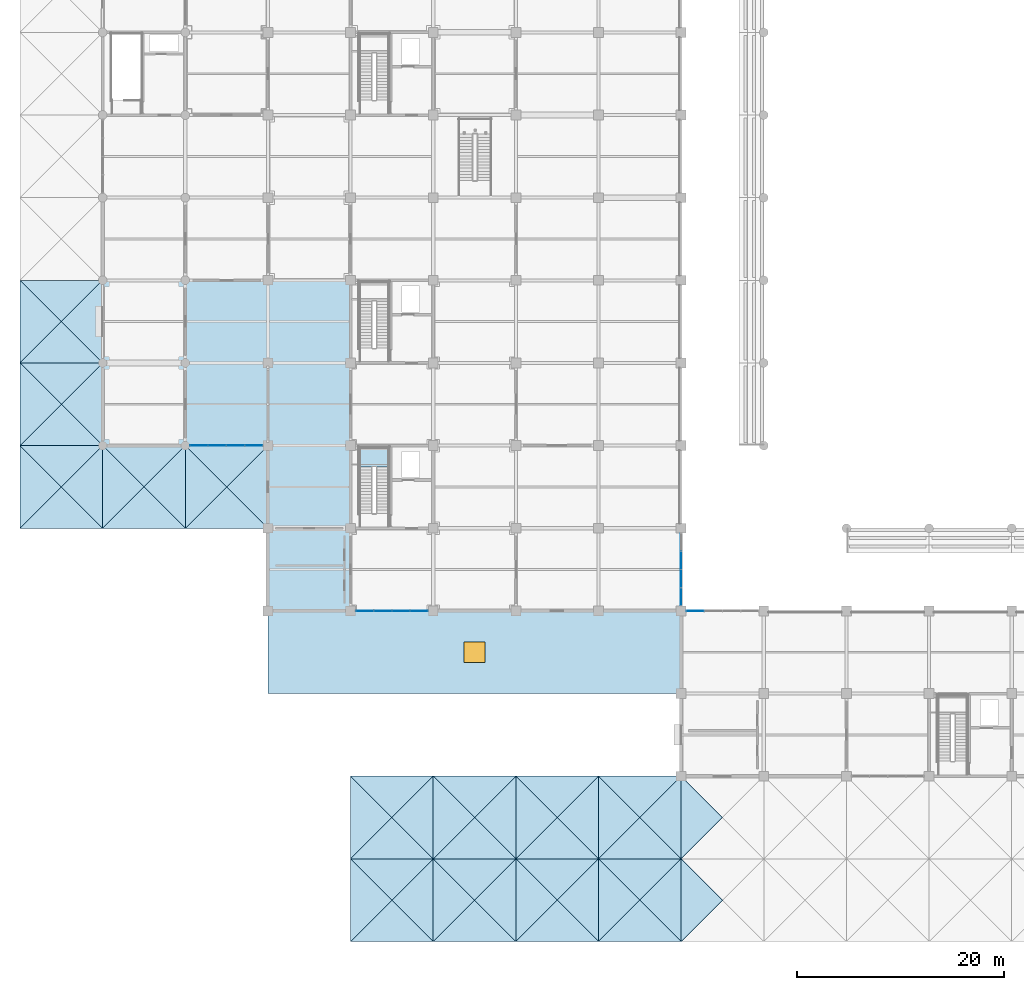
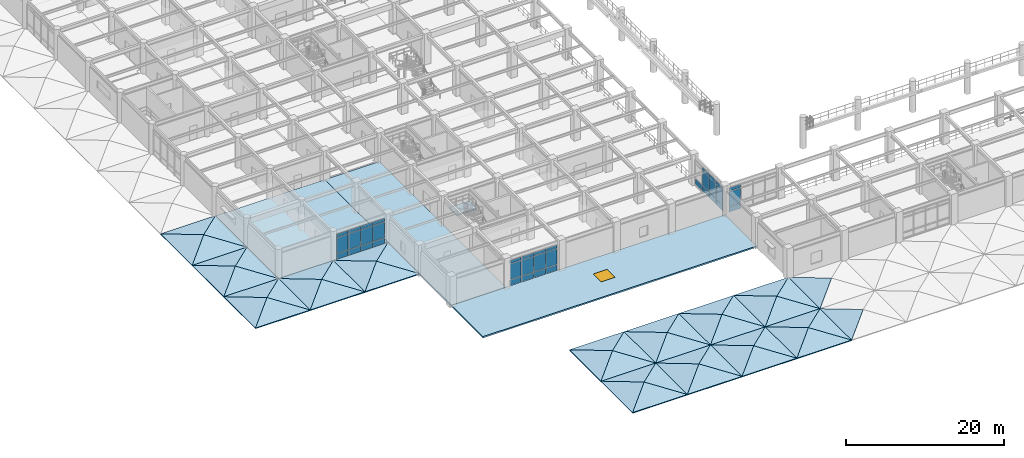
# One storey, part 54 of 109: 58 slabs, 37 plates, 1 window, 1 opening, 5 elements without a shape of their own.
"""IFC4 building model written with IfcOpenShell, lengths in metres."""

from ifc_helpers import new_model, si_unit, direction, frame, origin, origin_2d, place, context, subcontext, project, spatial, polyline, rectangle, outline, extrude, material, layer, layer_set, type_object, element, fill, aggregate, save


model = new_model("IFC4")

# Units and contexts
model_context = context("Model", 3, precision=1e-05, world=origin(), true_north=direction((0.0, 1.0)))
body_context = subcontext(model_context, "Body", "Model", "MODEL_VIEW")
ifc_project = project(units=[si_unit("LENGTHUNIT", "METRE"), si_unit("AREAUNIT", "SQUARE_METRE"), si_unit("VOLUMEUNIT", "CUBIC_METRE"), si_unit("PLANEANGLEUNIT", "RADIAN"), si_unit("MASSUNIT", "GRAM", prefix="KILO")], contexts=[model_context])

# Site, building, storey
site_placement = place(None, origin())
site = spatial("IfcSite", under=ifc_project, at=site_placement, CompositionType="ELEMENT")
building_placement = place(site_placement, origin())
building = spatial("IfcBuilding", under=site, at=building_placement, Name="Haebicheon Civic Stadium", CompositionType="ELEMENT")
storey_placement = place(building_placement, frame((0.0, 0.0, 9.60009765625)))
storey = spatial("IfcBuildingStorey", under=building, at=storey_placement, Name="L03", CompositionType="ELEMENT", Elevation=9.60009765625)

# Curtain wall, plates
ifc_material_1 = material(Name="Anodised aluminium and laminated glass", Category="aluminium")
ifc_layer_1 = layer(ifc_material_1, 0.179931640625, Name="Anodised aluminium and laminated glass")
ifc_layer_set_1 = layer_set([ifc_layer_1], Name="Anodised aluminium and laminated glass")
curtain_wall_type_1 = type_object("IfcCurtainWallType", Name="CW-7100x3930", PredefinedType="NOTDEFINED", material=ifc_layer_set_1)
curtain_wall_1_placement = place(storey_placement, origin())
curtain_wall_1 = element("IfcCurtainWall", 1, at=curtain_wall_1_placement, inside=storey, type_object=curtain_wall_type_1, material=ifc_layer_set_1, Name="L03 unitised curtain wall 072", PredefinedType="NOTDEFINED")
ifc_material_2 = material(Name="Double low-e laminated glass", Category="glass")
ifc_layer_2 = layer(ifc_material_2, 0.028076171875, Name="Double low-e laminated glass")
ifc_layer_set_2 = layer_set([ifc_layer_2], Name="Double low-e laminated glass")
plate_type_1 = type_object("IfcPlateType", Name="CWP-GLZ-28", PredefinedType="CURTAIN_PANEL", material=ifc_layer_set_2)
plate_1_placement = place(storey_placement, frame((17.330078125, 48.0, 0.93505859375), z_axis=(0.0, 0.0, 1.0), x_axis=(1.0, 0.0, 0.0)))
plate_1 = element("IfcPlate", 2, at=plate_1_placement, type_object=plate_type_1, material=ifc_layer_set_2, Name="CW-L03-072 vision panel 1.2", PredefinedType="CURTAIN_PANEL", context=body_context, shape_type="SweptSolid", body=[
    extrude(rectangle(XDim=1.669921875, YDim=0.028076171875, at=origin_2d()), origin(), (0.0, 0.0, 1.0), 2.409912109375),
])
plate_2_placement = place(storey_placement, frame((19.087890625, 48.0, 0.93505859375), z_axis=(0.0, 0.0, 1.0), x_axis=(1.0, 0.0, 0.0)))
plate_2 = element("IfcPlate", 3, at=plate_2_placement, type_object=plate_type_1, material=ifc_layer_set_2, Name="CW-L03-072 vision panel 2.2", PredefinedType="CURTAIN_PANEL", context=body_context, shape_type="SweptSolid", body=[
    extrude(rectangle(XDim=1.705078125, YDim=0.028076171875, at=origin_2d()), origin(), (0.0, 0.0, 1.0), 2.409912109375),
])
plate_3_placement = place(storey_placement, frame((20.862060546875, 48.0, 0.93505859375), z_axis=(0.0, 0.0, 1.0), x_axis=(1.0, 0.0, 0.0)))
plate_3 = element("IfcPlate", 4, at=plate_3_placement, type_object=plate_type_1, material=ifc_layer_set_2, Name="CW-L03-072 vision panel 3.2", PredefinedType="CURTAIN_PANEL", context=body_context, shape_type="SweptSolid", body=[
    extrude(rectangle(XDim=1.705078125, YDim=0.028076171875, at=origin_2d()), origin(), (0.0, 0.0, 1.0), 2.409912109375),
])
plate_4_placement = place(storey_placement, frame((22.6201171875, 48.0, 0.93505859375), z_axis=(0.0, 0.0, 1.0), x_axis=(1.0, 0.0, 0.0)))
plate_4 = element("IfcPlate", 5, at=plate_4_placement, type_object=plate_type_1, material=ifc_layer_set_2, Name="CW-L03-072 vision panel 4.2", PredefinedType="CURTAIN_PANEL", context=body_context, shape_type="SweptSolid", body=[
    extrude(rectangle(XDim=1.669921875, YDim=0.028076171875, at=origin_2d()), origin(), (0.0, 0.0, 1.0), 2.409912109375),
])

ifc_material_3 = material(Name="Anodised aluminium and laminated glass", Category="aluminium")
ifc_layer_3 = layer(ifc_material_3, 0.179931640625, Name="Anodised aluminium and laminated glass")
ifc_layer_set_3 = layer_set([ifc_layer_3], Name="Anodised aluminium and laminated glass")
curtain_wall_type_2 = type_object("IfcCurtainWallType", Name="CW-7050x3930", PredefinedType="NOTDEFINED", material=ifc_layer_set_3)
curtain_wall_2_placement = place(storey_placement, origin())
curtain_wall_2 = element("IfcCurtainWall", 6, at=curtain_wall_2_placement, inside=storey, type_object=curtain_wall_type_2, material=ifc_layer_set_3, Name="L03 unitised curtain wall 074", PredefinedType="NOTDEFINED")
plate_5_placement = place(storey_placement, frame((33.3740234375, 32.0, 0.93505859375), z_axis=(0.0, 0.0, 1.0), x_axis=(1.0, 0.0, 0.0)))
plate_5 = element("IfcPlate", 7, at=plate_5_placement, type_object=plate_type_1, material=ifc_layer_set_2, Name="CW-L03-074 vision panel 1.2", PredefinedType="CURTAIN_PANEL", context=body_context, shape_type="SweptSolid", body=[
    extrude(rectangle(XDim=1.656982421875, YDim=0.028076171875, at=origin_2d()), origin(), (0.0, 0.0, 1.0), 2.409912109375),
])
plate_6_placement = place(storey_placement, frame((35.117919921875, 32.0, 0.93505859375), z_axis=(0.0, 0.0, 1.0), x_axis=(1.0, 0.0, 0.0)))
plate_6 = element("IfcPlate", 8, at=plate_6_placement, type_object=plate_type_1, material=ifc_layer_set_2, Name="CW-L03-074 vision panel 2.2", PredefinedType="CURTAIN_PANEL", context=body_context, shape_type="SweptSolid", body=[
    extrude(rectangle(XDim=1.693115234375, YDim=0.028076171875, at=origin_2d()), origin(), (0.0, 0.0, 1.0), 2.409912109375),
])
plate_7_placement = place(storey_placement, frame((36.882080078125, 32.0, 0.93505859375), z_axis=(0.0, 0.0, 1.0), x_axis=(1.0, 0.0, 0.0)))
plate_7 = element("IfcPlate", 9, at=plate_7_placement, type_object=plate_type_1, material=ifc_layer_set_2, Name="CW-L03-074 vision panel 3.2", PredefinedType="CURTAIN_PANEL", context=body_context, shape_type="SweptSolid", body=[
    extrude(rectangle(XDim=1.693115234375, YDim=0.028076171875, at=origin_2d()), origin(), (0.0, 0.0, 1.0), 2.409912109375),
])
plate_8_placement = place(storey_placement, frame((38.6259765625, 32.0, 0.93505859375), z_axis=(0.0, 0.0, 1.0), x_axis=(1.0, 0.0, 0.0)))
plate_8 = element("IfcPlate", 10, at=plate_8_placement, type_object=plate_type_1, material=ifc_layer_set_2, Name="CW-L03-074 vision panel 4.2", PredefinedType="CURTAIN_PANEL", context=body_context, shape_type="SweptSolid", body=[
    extrude(rectangle(XDim=1.656982421875, YDim=0.028076171875, at=origin_2d()), origin(), (0.0, 0.0, 1.0), 2.409912109375),
])

ifc_material_4 = material(Name="Anodised aluminium and laminated glass", Category="aluminium")
ifc_layer_4 = layer(ifc_material_4, 0.179931640625, Name="Anodised aluminium and laminated glass")
ifc_layer_set_4 = layer_set([ifc_layer_4], Name="Anodised aluminium and laminated glass")
curtain_wall_type_3 = type_object("IfcCurtainWallType", Name="CW-7050x3770", PredefinedType="NOTDEFINED", material=ifc_layer_set_4)
curtain_wall_3_placement = place(storey_placement, origin())
curtain_wall_3 = element("IfcCurtainWall", 11, at=curtain_wall_3_placement, inside=storey, type_object=curtain_wall_type_3, material=ifc_layer_set_4, Name="L03 unitised curtain wall 076", PredefinedType="NOTDEFINED")
plate_9_placement = place(storey_placement, frame((64.0, 33.3740234375, 1.094970703125), z_axis=(0.0, 0.0, 1.0), x_axis=(0.0, 1.0, 0.0)))
plate_9 = element("IfcPlate", 12, at=plate_9_placement, type_object=plate_type_1, material=ifc_layer_set_2, Name="CW-L03-076 vision panel 1.2", PredefinedType="CURTAIN_PANEL", context=body_context, shape_type="SweptSolid", body=[
    extrude(rectangle(XDim=1.656982421875, YDim=0.028076171875, at=origin_2d()), origin(), (0.0, 0.0, 1.0), 2.25),
])
plate_10_placement = place(storey_placement, frame((64.0, 35.117919921875, 1.094970703125), z_axis=(0.0, 0.0, 1.0), x_axis=(0.0, 1.0, 0.0)))
plate_10 = element("IfcPlate", 13, at=plate_10_placement, type_object=plate_type_1, material=ifc_layer_set_2, Name="CW-L03-076 vision panel 2.2", PredefinedType="CURTAIN_PANEL", context=body_context, shape_type="SweptSolid", body=[
    extrude(rectangle(XDim=1.693115234375, YDim=0.028076171875, at=origin_2d()), origin(), (0.0, 0.0, 1.0), 2.25),
])
plate_11_placement = place(storey_placement, frame((64.0, 36.882080078125, 1.094970703125), z_axis=(0.0, 0.0, 1.0), x_axis=(0.0, 1.0, 0.0)))
plate_11 = element("IfcPlate", 14, at=plate_11_placement, type_object=plate_type_1, material=ifc_layer_set_2, Name="CW-L03-076 vision panel 3.2", PredefinedType="CURTAIN_PANEL", context=body_context, shape_type="SweptSolid", body=[
    extrude(rectangle(XDim=1.693115234375, YDim=0.028076171875, at=origin_2d()), origin(), (0.0, 0.0, 1.0), 2.25),
])

# Curtain wall, plate
curtain_wall_4_placement = place(storey_placement, origin())
curtain_wall_4 = element("IfcCurtainWall", 15, at=curtain_wall_4_placement, inside=storey, type_object=curtain_wall_type_3, material=ifc_layer_set_4, Name="L03 unitised curtain wall 077", PredefinedType="NOTDEFINED")
plate_12_placement = place(storey_placement, frame((65.373046875, 32.0, 1.094970703125), z_axis=(0.0, 0.0, 1.0), x_axis=(1.0, 0.0, 0.0)))
plate_12 = element("IfcPlate", 16, at=plate_12_placement, type_object=plate_type_1, material=ifc_layer_set_2, Name="CW-L03-077 vision panel 1.2", PredefinedType="CURTAIN_PANEL", context=body_context, shape_type="SweptSolid", body=[
    extrude(rectangle(XDim=1.656982421875, YDim=0.028076171875, at=origin_2d()), origin(), (0.0, 0.0, 1.0), 2.25),
])

# Plate
ifc_material_5 = material(Name="Anodised aluminium 6063-T6", Category="aluminium")
ifc_layer_5 = layer(ifc_material_5, 0.0439453125, Name="Anodised aluminium 6063-T6")
ifc_layer_set_5 = layer_set([ifc_layer_5], Name="Anodised aluminium 6063-T6")
plate_type_2 = type_object("IfcPlateType", Name="CWP-SPD-44", PredefinedType="CURTAIN_PANEL", material=ifc_layer_set_5)
plate_13_placement = place(storey_placement, frame((17.330078125, 48.0, 0.034912109375), z_axis=(0.0, 0.0, 1.0), x_axis=(1.0, 0.0, 0.0)))
plate_13 = element("IfcPlate", 17, at=plate_13_placement, type_object=plate_type_2, material=ifc_layer_set_5, Name="CW-L03-072 spandrel panel 1.1", PredefinedType="CURTAIN_PANEL", context=body_context, shape_type="SweptSolid", body=[
    extrude(rectangle(XDim=1.669921875, YDim=0.0439453125, at=origin_2d()), origin(), (0.0, 0.0, 1.0), 0.830078125),
])

plate_14_placement = place(storey_placement, frame((17.330078125, 48.0, 3.414794921875), z_axis=(0.0, 0.0, 1.0), x_axis=(1.0, 0.0, 0.0)))
plate_14 = element("IfcPlate", 18, at=plate_14_placement, type_object=plate_type_2, material=ifc_layer_set_5, Name="CW-L03-072 spandrel panel 1.3", PredefinedType="CURTAIN_PANEL", context=body_context, shape_type="SweptSolid", body=[
    extrude(rectangle(XDim=1.669921875, YDim=0.0439453125, at=origin_2d()), origin(), (0.0, 0.0, 1.0), 0.47998046875),
])

plate_15_placement = place(storey_placement, frame((19.087890625, 48.0, 0.034912109375), z_axis=(0.0, 0.0, 1.0), x_axis=(1.0, 0.0, 0.0)))
plate_15 = element("IfcPlate", 19, at=plate_15_placement, type_object=plate_type_2, material=ifc_layer_set_5, Name="CW-L03-072 spandrel panel 2.1", PredefinedType="CURTAIN_PANEL", context=body_context, shape_type="SweptSolid", body=[
    extrude(rectangle(XDim=1.705078125, YDim=0.0439453125, at=origin_2d()), origin(), (0.0, 0.0, 1.0), 0.830078125),
])

plate_16_placement = place(storey_placement, frame((19.087890625, 48.0, 3.414794921875), z_axis=(0.0, 0.0, 1.0), x_axis=(1.0, 0.0, 0.0)))
plate_16 = element("IfcPlate", 20, at=plate_16_placement, type_object=plate_type_2, material=ifc_layer_set_5, Name="CW-L03-072 spandrel panel 2.3", PredefinedType="CURTAIN_PANEL", context=body_context, shape_type="SweptSolid", body=[
    extrude(rectangle(XDim=1.705078125, YDim=0.0439453125, at=origin_2d()), origin(), (0.0, 0.0, 1.0), 0.47998046875),
])

plate_17_placement = place(storey_placement, frame((20.862060546875, 48.0, 0.034912109375), z_axis=(0.0, 0.0, 1.0), x_axis=(1.0, 0.0, 0.0)))
plate_17 = element("IfcPlate", 21, at=plate_17_placement, type_object=plate_type_2, material=ifc_layer_set_5, Name="CW-L03-072 spandrel panel 3.1", PredefinedType="CURTAIN_PANEL", context=body_context, shape_type="SweptSolid", body=[
    extrude(rectangle(XDim=1.705078125, YDim=0.0439453125, at=origin_2d()), origin(), (0.0, 0.0, 1.0), 0.830078125),
])

plate_18_placement = place(storey_placement, frame((20.862060546875, 48.0, 3.414794921875), z_axis=(0.0, 0.0, 1.0), x_axis=(1.0, 0.0, 0.0)))
plate_18 = element("IfcPlate", 22, at=plate_18_placement, type_object=plate_type_2, material=ifc_layer_set_5, Name="CW-L03-072 spandrel panel 3.3", PredefinedType="CURTAIN_PANEL", context=body_context, shape_type="SweptSolid", body=[
    extrude(rectangle(XDim=1.705078125, YDim=0.0439453125, at=origin_2d()), origin(), (0.0, 0.0, 1.0), 0.47998046875),
])

plate_19_placement = place(storey_placement, frame((22.6201171875, 48.0, 0.034912109375), z_axis=(0.0, 0.0, 1.0), x_axis=(1.0, 0.0, 0.0)))
plate_19 = element("IfcPlate", 23, at=plate_19_placement, type_object=plate_type_2, material=ifc_layer_set_5, Name="CW-L03-072 spandrel panel 4.1", PredefinedType="CURTAIN_PANEL", context=body_context, shape_type="SweptSolid", body=[
    extrude(rectangle(XDim=1.669921875, YDim=0.0439453125, at=origin_2d()), origin(), (0.0, 0.0, 1.0), 0.830078125),
])

plate_20_placement = place(storey_placement, frame((22.6201171875, 48.0, 3.414794921875), z_axis=(0.0, 0.0, 1.0), x_axis=(1.0, 0.0, 0.0)))
plate_20 = element("IfcPlate", 24, at=plate_20_placement, type_object=plate_type_2, material=ifc_layer_set_5, Name="CW-L03-072 spandrel panel 4.3", PredefinedType="CURTAIN_PANEL", context=body_context, shape_type="SweptSolid", body=[
    extrude(rectangle(XDim=1.669921875, YDim=0.0439453125, at=origin_2d()), origin(), (0.0, 0.0, 1.0), 0.47998046875),
])

aggregate(curtain_wall_1, [plate_13, plate_1, plate_14, plate_15, plate_2, plate_16, plate_17, plate_3, plate_18, plate_19, plate_4, plate_20])

plate_21_placement = place(storey_placement, frame((33.3740234375, 32.0, 0.034912109375), z_axis=(0.0, 0.0, 1.0), x_axis=(1.0, 0.0, 0.0)))
plate_21 = element("IfcPlate", 25, at=plate_21_placement, type_object=plate_type_2, material=ifc_layer_set_5, Name="CW-L03-074 spandrel panel 1.1", PredefinedType="CURTAIN_PANEL", context=body_context, shape_type="SweptSolid", body=[
    extrude(rectangle(XDim=1.656982421875, YDim=0.0439453125, at=origin_2d()), origin(), (0.0, 0.0, 1.0), 0.830078125),
])

plate_22_placement = place(storey_placement, frame((33.3740234375, 32.0, 3.414794921875), z_axis=(0.0, 0.0, 1.0), x_axis=(1.0, 0.0, 0.0)))
plate_22 = element("IfcPlate", 26, at=plate_22_placement, type_object=plate_type_2, material=ifc_layer_set_5, Name="CW-L03-074 spandrel panel 1.3", PredefinedType="CURTAIN_PANEL", context=body_context, shape_type="SweptSolid", body=[
    extrude(rectangle(XDim=1.656982421875, YDim=0.0439453125, at=origin_2d()), origin(), (0.0, 0.0, 1.0), 0.47998046875),
])

plate_23_placement = place(storey_placement, frame((35.117919921875, 32.0, 0.034912109375), z_axis=(0.0, 0.0, 1.0), x_axis=(1.0, 0.0, 0.0)))
plate_23 = element("IfcPlate", 27, at=plate_23_placement, type_object=plate_type_2, material=ifc_layer_set_5, Name="CW-L03-074 spandrel panel 2.1", PredefinedType="CURTAIN_PANEL", context=body_context, shape_type="SweptSolid", body=[
    extrude(rectangle(XDim=1.693115234375, YDim=0.0439453125, at=origin_2d()), origin(), (0.0, 0.0, 1.0), 0.830078125),
])

plate_24_placement = place(storey_placement, frame((35.117919921875, 32.0, 3.414794921875), z_axis=(0.0, 0.0, 1.0), x_axis=(1.0, 0.0, 0.0)))
plate_24 = element("IfcPlate", 28, at=plate_24_placement, type_object=plate_type_2, material=ifc_layer_set_5, Name="CW-L03-074 spandrel panel 2.3", PredefinedType="CURTAIN_PANEL", context=body_context, shape_type="SweptSolid", body=[
    extrude(rectangle(XDim=1.693115234375, YDim=0.0439453125, at=origin_2d()), origin(), (0.0, 0.0, 1.0), 0.47998046875),
])

plate_25_placement = place(storey_placement, frame((36.882080078125, 32.0, 0.034912109375), z_axis=(0.0, 0.0, 1.0), x_axis=(1.0, 0.0, 0.0)))
plate_25 = element("IfcPlate", 29, at=plate_25_placement, type_object=plate_type_2, material=ifc_layer_set_5, Name="CW-L03-074 spandrel panel 3.1", PredefinedType="CURTAIN_PANEL", context=body_context, shape_type="SweptSolid", body=[
    extrude(rectangle(XDim=1.693115234375, YDim=0.0439453125, at=origin_2d()), origin(), (0.0, 0.0, 1.0), 0.830078125),
])

plate_26_placement = place(storey_placement, frame((36.882080078125, 32.0, 3.414794921875), z_axis=(0.0, 0.0, 1.0), x_axis=(1.0, 0.0, 0.0)))
plate_26 = element("IfcPlate", 30, at=plate_26_placement, type_object=plate_type_2, material=ifc_layer_set_5, Name="CW-L03-074 spandrel panel 3.3", PredefinedType="CURTAIN_PANEL", context=body_context, shape_type="SweptSolid", body=[
    extrude(rectangle(XDim=1.693115234375, YDim=0.0439453125, at=origin_2d()), origin(), (0.0, 0.0, 1.0), 0.47998046875),
])

plate_27_placement = place(storey_placement, frame((38.6259765625, 32.0, 0.034912109375), z_axis=(0.0, 0.0, 1.0), x_axis=(1.0, 0.0, 0.0)))
plate_27 = element("IfcPlate", 31, at=plate_27_placement, type_object=plate_type_2, material=ifc_layer_set_5, Name="CW-L03-074 spandrel panel 4.1", PredefinedType="CURTAIN_PANEL", context=body_context, shape_type="SweptSolid", body=[
    extrude(rectangle(XDim=1.656982421875, YDim=0.0439453125, at=origin_2d()), origin(), (0.0, 0.0, 1.0), 0.830078125),
])

plate_28_placement = place(storey_placement, frame((38.6259765625, 32.0, 3.414794921875), z_axis=(0.0, 0.0, 1.0), x_axis=(1.0, 0.0, 0.0)))
plate_28 = element("IfcPlate", 32, at=plate_28_placement, type_object=plate_type_2, material=ifc_layer_set_5, Name="CW-L03-074 spandrel panel 4.3", PredefinedType="CURTAIN_PANEL", context=body_context, shape_type="SweptSolid", body=[
    extrude(rectangle(XDim=1.656982421875, YDim=0.0439453125, at=origin_2d()), origin(), (0.0, 0.0, 1.0), 0.47998046875),
])

aggregate(curtain_wall_2, [plate_21, plate_5, plate_22, plate_23, plate_6, plate_24, plate_25, plate_7, plate_26, plate_27, plate_8, plate_28])

plate_29_placement = place(storey_placement, frame((64.0, 33.3740234375, 0.19482421875), z_axis=(0.0, 0.0, 1.0), x_axis=(0.0, 1.0, 0.0)))
plate_29 = element("IfcPlate", 33, at=plate_29_placement, type_object=plate_type_2, material=ifc_layer_set_5, Name="CW-L03-076 spandrel panel 1.1", PredefinedType="CURTAIN_PANEL", context=body_context, shape_type="SweptSolid", body=[
    extrude(rectangle(XDim=1.656982421875, YDim=0.0439453125, at=origin_2d()), origin(), (0.0, 0.0, 1.0), 0.830078125),
])

plate_30_placement = place(storey_placement, frame((64.0, 33.3740234375, 3.414794921875), z_axis=(0.0, 0.0, 1.0), x_axis=(0.0, 1.0, 0.0)))
plate_30 = element("IfcPlate", 34, at=plate_30_placement, type_object=plate_type_2, material=ifc_layer_set_5, Name="CW-L03-076 spandrel panel 1.3", PredefinedType="CURTAIN_PANEL", context=body_context, shape_type="SweptSolid", body=[
    extrude(rectangle(XDim=1.656982421875, YDim=0.0439453125, at=origin_2d()), origin(), (0.0, 0.0, 1.0), 0.47998046875),
])

plate_31_placement = place(storey_placement, frame((64.0, 35.117919921875, 0.19482421875), z_axis=(0.0, 0.0, 1.0), x_axis=(0.0, 1.0, 0.0)))
plate_31 = element("IfcPlate", 35, at=plate_31_placement, type_object=plate_type_2, material=ifc_layer_set_5, Name="CW-L03-076 spandrel panel 2.1", PredefinedType="CURTAIN_PANEL", context=body_context, shape_type="SweptSolid", body=[
    extrude(rectangle(XDim=1.693115234375, YDim=0.0439453125, at=origin_2d()), origin(), (0.0, 0.0, 1.0), 0.830078125),
])

plate_32_placement = place(storey_placement, frame((64.0, 35.117919921875, 3.414794921875), z_axis=(0.0, 0.0, 1.0), x_axis=(0.0, 1.0, 0.0)))
plate_32 = element("IfcPlate", 36, at=plate_32_placement, type_object=plate_type_2, material=ifc_layer_set_5, Name="CW-L03-076 spandrel panel 2.3", PredefinedType="CURTAIN_PANEL", context=body_context, shape_type="SweptSolid", body=[
    extrude(rectangle(XDim=1.693115234375, YDim=0.0439453125, at=origin_2d()), origin(), (0.0, 0.0, 1.0), 0.47998046875),
])

plate_33_placement = place(storey_placement, frame((64.0, 36.882080078125, 0.19482421875), z_axis=(0.0, 0.0, 1.0), x_axis=(0.0, 1.0, 0.0)))
plate_33 = element("IfcPlate", 37, at=plate_33_placement, type_object=plate_type_2, material=ifc_layer_set_5, Name="CW-L03-076 spandrel panel 3.1", PredefinedType="CURTAIN_PANEL", context=body_context, shape_type="SweptSolid", body=[
    extrude(rectangle(XDim=1.693115234375, YDim=0.0439453125, at=origin_2d()), origin(), (0.0, 0.0, 1.0), 0.830078125),
])

plate_34_placement = place(storey_placement, frame((64.0, 36.882080078125, 3.414794921875), z_axis=(0.0, 0.0, 1.0), x_axis=(0.0, 1.0, 0.0)))
plate_34 = element("IfcPlate", 38, at=plate_34_placement, type_object=plate_type_2, material=ifc_layer_set_5, Name="CW-L03-076 spandrel panel 3.3", PredefinedType="CURTAIN_PANEL", context=body_context, shape_type="SweptSolid", body=[
    extrude(rectangle(XDim=1.693115234375, YDim=0.0439453125, at=origin_2d()), origin(), (0.0, 0.0, 1.0), 0.47998046875),
])

plate_35_placement = place(storey_placement, frame((64.0, 38.6259765625, 0.19482421875), z_axis=(0.0, 0.0, 1.0), x_axis=(0.0, 1.0, 0.0)))
plate_35 = element("IfcPlate", 39, at=plate_35_placement, type_object=plate_type_2, material=ifc_layer_set_5, Name="CW-L03-076 spandrel panel 4.1", PredefinedType="CURTAIN_PANEL", context=body_context, shape_type="SweptSolid", body=[
    extrude(rectangle(XDim=1.656982421875, YDim=0.0439453125, at=origin_2d()), origin(), (0.0, 0.0, 1.0), 0.830078125),
])

aggregate(curtain_wall_3, [plate_29, plate_9, plate_30, plate_31, plate_10, plate_32, plate_33, plate_11, plate_34, plate_35])

plate_36_placement = place(storey_placement, frame((65.373046875, 32.0, 0.19482421875), z_axis=(0.0, 0.0, 1.0), x_axis=(1.0, 0.0, 0.0)))
plate_36 = element("IfcPlate", 40, at=plate_36_placement, type_object=plate_type_2, material=ifc_layer_set_5, Name="CW-L03-077 spandrel panel 1.1", PredefinedType="CURTAIN_PANEL", context=body_context, shape_type="SweptSolid", body=[
    extrude(rectangle(XDim=1.656982421875, YDim=0.0439453125, at=origin_2d()), origin(), (0.0, 0.0, 1.0), 0.830078125),
])

plate_37_placement = place(storey_placement, frame((65.373046875, 32.0, 3.414794921875), z_axis=(0.0, 0.0, 1.0), x_axis=(1.0, 0.0, 0.0)))
plate_37 = element("IfcPlate", 41, at=plate_37_placement, type_object=plate_type_2, material=ifc_layer_set_5, Name="CW-L03-077 spandrel panel 1.3", PredefinedType="CURTAIN_PANEL", context=body_context, shape_type="SweptSolid", body=[
    extrude(rectangle(XDim=1.656982421875, YDim=0.0439453125, at=origin_2d()), origin(), (0.0, 0.0, 1.0), 0.47998046875),
])

aggregate(curtain_wall_4, [plate_36, plate_12, plate_37])

# Slabs
ifc_material_6 = material(Name="Concrete C40/50", Category="concrete")
ifc_layer_6 = layer(ifc_material_6, 0.280029296875, Name="Concrete C40/50")
ifc_layer_set_6 = layer_set([ifc_layer_6], Name="Concrete C40/50")
slab_type_1 = type_object("IfcSlabType", Name="SLB-FLR-280", PredefinedType="FLOOR", material=ifc_layer_set_6)
slab_1_placement = place(storey_placement, frame((0.0, 0.0, -0.280029296875)))
element("IfcSlab", 42, at=slab_1_placement, inside=storey, type_object=slab_type_1, material=ifc_layer_set_6, Name="L03 V1 structural slab 1.1", PredefinedType="FLOOR", context=body_context, shape_type="SweptSolid", body=[
    extrude(outline(polyline([(24.0, 32.0), (24.0, 40.0), (24.0, 48.0), (24.0, 56.0), (24.0, 64.0), (32.0, 64.0), (32.0, 56.0), (32.0, 48.0), (32.0, 40.0), (32.0, 32.0), (24.0, 32.0)])), origin(), (0.0, 0.0, 1.0), 0.280029296875),
])
slab_2_placement = place(storey_placement, frame((0.0, 0.0, -0.280029296875)))
element("IfcSlab", 43, at=slab_2_placement, inside=storey, type_object=slab_type_1, material=ifc_layer_set_6, Name="L03 V5 structural slab 1.1", PredefinedType="FLOOR", context=body_context, shape_type="SweptSolid", body=[
    extrude(outline(polyline([(8.0, 56.0), (8.0, 64.0), (16.0, 64.0), (24.0, 64.0), (24.0, 56.0), (24.0, 48.0), (16.0, 48.0), (8.0, 48.0), (8.0, 56.0)])), origin(), (0.0, 0.0, 1.0), 0.280029296875),
])

# Stair, slab
ifc_material_7 = material(Name="Concrete C40/50", Category="concrete")
stair_type = type_object("IfcStairType", Name="STR-DL-W126-H48", PredefinedType="HALF_TURN_STAIR", material=ifc_material_7)
stair_placement = place(storey_placement, origin())
stair = element("IfcStair", 44, at=stair_placement, inside=storey, type_object=stair_type, material=ifc_material_7, Name="L03 Escape stair ST-01", PredefinedType="HALF_TURN_STAIR")
ifc_material_8 = material(Name="Concrete C40/50", Category="concrete")
ifc_layer_7 = layer(ifc_material_8, 0.199951171875, Name="Concrete C40/50")
ifc_layer_set_7 = layer_set([ifc_layer_7], Name="Concrete C40/50")
slab_type_2 = type_object("IfcSlabType", Name="SLB-LND-200", PredefinedType="LANDING", material=ifc_layer_set_7)
slab_3_placement = place(storey_placement, frame((0.0, 0.0, 2.199951171875)))
slab_3 = element("IfcSlab", 45, at=slab_3_placement, type_object=slab_type_2, material=ifc_layer_set_7, Name="ST-01 landing 1", PredefinedType="LANDING", context=body_context, shape_type="SweptSolid", body=[
    extrude(outline(polyline([(35.739990234375, 45.949951171875), (35.739990234375, 47.840087890625), (32.840087890625, 47.840087890625), (32.840087890625, 45.949951171875), (35.739990234375, 45.949951171875)])), origin(), (0.0, 0.0, 1.0), 0.199951171875),
])
aggregate(stair, [slab_3])

# Slabs
ifc_material_9 = material(Name="Precast concrete C40/50", Category="concrete")
ifc_layer_8 = layer(ifc_material_9, 0.169921875, Name="Precast concrete C40/50")
ifc_layer_set_8 = layer_set([ifc_layer_8], Name="Precast concrete C40/50")
slab_type_3 = type_object("IfcSlabType", Name="SLB-ROOF-170", PredefinedType="ROOF", material=ifc_layer_set_8)
for number, where, z_axis, x_axis, name in (
    (46, (0.0, 40.0, 0.02001953125), (0.0, -0.21948952406, 0.97561485681), (1.0, 0.0, 0.0), "L03 V5 folded shell roof facet 1.S"),
    (47, (8.0, 40.0, 0.02001953125), (0.21948952406, 0.0, 0.97561485681), (0.0, 1.0, 0.0), "L03 V5 folded shell roof facet 1.E"),
    (48, (8.0, 48.0, 0.02001953125), (0.0, 0.21948952406, 0.97561485681), (-1.0, 0.0, 0.0), "L03 V5 folded shell roof facet 1.N"),
    (49, (0.0, 48.0, 0.02001953125), (-0.21948952406, 0.0, 0.97561485681), (0.0, -1.0, 0.0), "L03 V5 folded shell roof facet 1.W"),
    (50, (0.0, 48.0, 0.02001953125), (0.0, -0.21948952406, 0.97561485681), (1.0, 0.0, 0.0), "L03 V5 folded shell roof facet 2.S"),
    (51, (8.0, 48.0, 0.02001953125), (0.21948952406, 0.0, 0.97561485681), (0.0, 1.0, 0.0), "L03 V5 folded shell roof facet 2.E"),
    (52, (8.0, 56.0, 0.02001953125), (0.0, 0.21948952406, 0.97561485681), (-1.0, 0.0, 0.0), "L03 V5 folded shell roof facet 2.N"),
    (53, (0.0, 56.0, 0.02001953125), (-0.21948952406, 0.0, 0.97561485681), (0.0, -1.0, 0.0), "L03 V5 folded shell roof facet 2.W"),
    (54, (0.0, 56.0, 0.02001953125), (0.0, -0.21948952406, 0.97561485681), (1.0, 0.0, 0.0), "L03 V5 folded shell roof facet 3.S"),
    (55, (8.0, 56.0, 0.02001953125), (0.21948952406, 0.0, 0.97561485681), (0.0, 1.0, 0.0), "L03 V5 folded shell roof facet 3.E"),
    (56, (8.0, 64.0, 0.02001953125), (0.0, 0.21948952406, 0.97561485681), (-1.0, 0.0, 0.0), "L03 V5 folded shell roof facet 3.N"),
    (57, (0.0, 64.0, 0.02001953125), (-0.21948952406, 0.0, 0.97561485681), (0.0, -1.0, 0.0), "L03 V5 folded shell roof facet 3.W"),
    (58, (8.0, 40.0, 0.02001953125), (0.0, -0.21948952406, 0.97561485681), (1.0, 0.0, 0.0), "L03 V5 folded shell roof facet 14.S"),
    (59, (16.0, 40.0, 0.02001953125), (0.21948952406, 0.0, 0.97561485681), (0.0, 1.0, 0.0), "L03 V5 folded shell roof facet 14.E"),
    (60, (16.0, 48.0, 0.02001953125), (0.0, 0.21948952406, 0.97561485681), (-1.0, 0.0, 0.0), "L03 V5 folded shell roof facet 14.N"),
    (61, (8.0, 48.0, 0.02001953125), (-0.21948952406, 0.0, 0.97561485681), (0.0, -1.0, 0.0), "L03 V5 folded shell roof facet 14.W"),
    (62, (16.0, 40.0, 0.02001953125), (0.0, -0.21948952406, 0.97561485681), (1.0, 0.0, 0.0), "L03 V5 folded shell roof facet 16.S"),
    (63, (24.0, 40.0, 0.02001953125), (0.21948952406, 0.0, 0.97561485681), (0.0, 1.0, 0.0), "L03 V5 folded shell roof facet 16.E"),
    (64, (24.0, 48.0, 0.02001953125), (0.0, 0.21948952406, 0.97561485681), (-1.0, 0.0, 0.0), "L03 V5 folded shell roof facet 16.N"),
    (65, (16.0, 48.0, 0.02001953125), (-0.21948952406, 0.0, 0.97561485681), (0.0, -1.0, 0.0), "L03 V5 folded shell roof facet 16.W"),
    (66, (32.0, 0.0, 0.02001953125), (0.0, -0.21948952406, 0.97561485681), (1.0, 0.0, 0.0), "L03 V6 folded shell roof facet 1.S"),
    (67, (40.0, 0.0, 0.02001953125), (0.21948952406, 0.0, 0.97561485681), (0.0, 1.0, 0.0), "L03 V6 folded shell roof facet 1.E"),
    (68, (40.0, 8.0, 0.02001953125), (0.0, 0.21948952406, 0.97561485681), (-1.0, 0.0, 0.0), "L03 V6 folded shell roof facet 1.N"),
    (69, (32.0, 8.0, 0.02001953125), (-0.21948952406, 0.0, 0.97561485681), (0.0, -1.0, 0.0), "L03 V6 folded shell roof facet 1.W"),
    (70, (32.0, 8.0, 0.02001953125), (0.0, -0.21948952406, 0.97561485681), (1.0, 0.0, 0.0), "L03 V6 folded shell roof facet 2.S"),
    (71, (40.0, 8.0, 0.02001953125), (0.21948952406, 0.0, 0.97561485681), (0.0, 1.0, 0.0), "L03 V6 folded shell roof facet 2.E"),
    (72, (40.0, 16.0, 0.02001953125), (0.0, 0.21948952406, 0.97561485681), (-1.0, 0.0, 0.0), "L03 V6 folded shell roof facet 2.N"),
    (73, (32.0, 16.0, 0.02001953125), (-0.21948952406, 0.0, 0.97561485681), (0.0, -1.0, 0.0), "L03 V6 folded shell roof facet 2.W"),
    (74, (40.0, 0.0, 0.02001953125), (0.0, -0.21948952406, 0.97561485681), (1.0, 0.0, 0.0), "L03 V6 folded shell roof facet 3.S"),
    (75, (48.0, 0.0, 0.02001953125), (0.21948952406, 0.0, 0.97561485681), (0.0, 1.0, 0.0), "L03 V6 folded shell roof facet 3.E"),
    (76, (48.0, 8.0, 0.02001953125), (0.0, 0.21948952406, 0.97561485681), (-1.0, 0.0, 0.0), "L03 V6 folded shell roof facet 3.N"),
    (77, (40.0, 8.0, 0.02001953125), (-0.21948952406, 0.0, 0.97561485681), (0.0, -1.0, 0.0), "L03 V6 folded shell roof facet 3.W"),
    (78, (40.0, 8.0, 0.02001953125), (0.0, -0.21948952406, 0.97561485681), (1.0, 0.0, 0.0), "L03 V6 folded shell roof facet 4.S"),
    (79, (48.0, 8.0, 0.02001953125), (0.21948952406, 0.0, 0.97561485681), (0.0, 1.0, 0.0), "L03 V6 folded shell roof facet 4.E"),
    (80, (48.0, 16.0, 0.02001953125), (0.0, 0.21948952406, 0.97561485681), (-1.0, 0.0, 0.0), "L03 V6 folded shell roof facet 4.N"),
    (81, (40.0, 16.0, 0.02001953125), (-0.21948952406, 0.0, 0.97561485681), (0.0, -1.0, 0.0), "L03 V6 folded shell roof facet 4.W"),
    (82, (48.0, 0.0, 0.02001953125), (0.0, -0.21948952406, 0.97561485681), (1.0, 0.0, 0.0), "L03 V6 folded shell roof facet 5.S"),
    (83, (56.0, 0.0, 0.02001953125), (0.21948952406, 0.0, 0.97561485681), (0.0, 1.0, 0.0), "L03 V6 folded shell roof facet 5.E"),
    (84, (56.0, 8.0, 0.02001953125), (0.0, 0.21948952406, 0.97561485681), (-1.0, 0.0, 0.0), "L03 V6 folded shell roof facet 5.N"),
    (85, (48.0, 8.0, 0.02001953125), (-0.21948952406, 0.0, 0.97561485681), (0.0, -1.0, 0.0), "L03 V6 folded shell roof facet 5.W"),
    (86, (48.0, 8.0, 0.02001953125), (0.0, -0.21948952406, 0.97561485681), (1.0, 0.0, 0.0), "L03 V6 folded shell roof facet 6.S"),
    (87, (56.0, 8.0, 0.02001953125), (0.21948952406, 0.0, 0.97561485681), (0.0, 1.0, 0.0), "L03 V6 folded shell roof facet 6.E"),
    (88, (56.0, 16.0, 0.02001953125), (0.0, 0.21948952406, 0.97561485681), (-1.0, 0.0, 0.0), "L03 V6 folded shell roof facet 6.N"),
    (89, (48.0, 16.0, 0.02001953125), (-0.21948952406, 0.0, 0.97561485681), (0.0, -1.0, 0.0), "L03 V6 folded shell roof facet 6.W"),
    (90, (56.0, 0.0, 0.02001953125), (0.0, -0.21948952406, 0.97561485681), (1.0, 0.0, 0.0), "L03 V6 folded shell roof facet 7.S"),
    (91, (64.0, 0.0, 0.02001953125), (0.21948952406, 0.0, 0.97561485681), (0.0, 1.0, 0.0), "L03 V6 folded shell roof facet 7.E"),
    (92, (64.0, 8.0, 0.02001953125), (0.0, 0.21948952406, 0.97561485681), (-1.0, 0.0, 0.0), "L03 V6 folded shell roof facet 7.N"),
    (93, (56.0, 8.0, 0.02001953125), (-0.21948952406, 0.0, 0.97561485681), (0.0, -1.0, 0.0), "L03 V6 folded shell roof facet 7.W"),
    (94, (56.0, 8.0, 0.02001953125), (0.0, -0.21948952406, 0.97561485681), (1.0, 0.0, 0.0), "L03 V6 folded shell roof facet 8.S"),
    (95, (64.0, 8.0, 0.02001953125), (0.21948952406, 0.0, 0.97561485681), (0.0, 1.0, 0.0), "L03 V6 folded shell roof facet 8.E"),
    (96, (64.0, 16.0, 0.02001953125), (0.0, 0.21948952406, 0.97561485681), (-1.0, 0.0, 0.0), "L03 V6 folded shell roof facet 8.N"),
    (97, (56.0, 16.0, 0.02001953125), (-0.21948952406, 0.0, 0.97561485681), (0.0, -1.0, 0.0), "L03 V6 folded shell roof facet 8.W"),
    (98, (64.0, 8.0, 0.02001953125), (-0.21948952406, 0.0, 0.97561485681), (0.0, -1.0, 0.0), "L03 V6 folded shell roof facet 9.W"),
    (99, (64.0, 16.0, 0.02001953125), (-0.21948952406, 0.0, 0.97561485681), (0.0, -1.0, 0.0), "L03 V6 folded shell roof facet 10.W"),
):
    element("IfcSlab", number, at=place(storey_placement, frame(where, z_axis=z_axis, x_axis=x_axis)), inside=storey, type_object=slab_type_3, material=ifc_layer_set_8, Name=name, PredefinedType="ROOF", context=body_context, shape_type="SweptSolid", body=[
        extrude(outline(polyline([(0.0, 0.0), (8.0, 0.0), (4.0, 4.099978564369178), (0.0, 0.0)])), origin(), (0.0, 0.0, -1.0), 0.169921875),
    ])

# Slab, opening, window
ifc_material_10 = material(Name="Concrete C40/50", Category="concrete")
ifc_layer_9 = layer(ifc_material_10, 0.219970703125, Name="Concrete C40/50")
ifc_layer_set_9 = layer_set([ifc_layer_9], Name="Concrete C40/50")
slab_type_4 = type_object("IfcSlabType", Name="SLB-ROOF-220", PredefinedType="ROOF", material=ifc_layer_set_9)
slab_4_placement = place(storey_placement, frame((0.0, 0.0, -0.22021484375)))
slab_4 = element("IfcSlab", 100, at=slab_4_placement, inside=storey, type_object=slab_type_4, material=ifc_layer_set_9, Name="L03 V1 roof deck slab 1", PredefinedType="ROOF", context=body_context, shape_type="SweptSolid", body=[
    extrude(outline(polyline([(24.0, 32.0), (64.0, 32.0), (64.0, 24.0), (24.0, 24.0), (24.0, 32.0)])), origin(), (0.0, 0.0, 1.0), 0.22021484375),
])
opening_placement = place(slab_4_placement, frame((44.0, 28.0, -0.010009765625)))
opening = element("IfcOpeningElement", 101, at=opening_placement, cuts=slab_4, Name="Opening SKY-200x200", PredefinedType="OPENING", context=body_context, shape_type="SweptSolid", body=[
    extrude(rectangle(XDim=2.0, YDim=2.0, at=origin_2d()), origin(), (0.0, 0.0, 1.0), 0.240234375),
])
ifc_material_11 = material(Name="Anodised aluminium and laminated glass", Category="aluminium")
window_type = type_object("IfcWindowType", Name="SKY-200x200", PartitioningType="SINGLE_PANEL", PredefinedType="SKYLIGHT", material=ifc_material_11)
window_placement = place(slab_4_placement, frame((44.0, 28.0, 0.170166015625)))
window = element("IfcWindow", 102, at=window_placement, inside=storey, type_object=window_type, material=ifc_material_11, Name="L03 glazed roof skylight 08", OverallHeight=2.0, OverallWidth=2.0, PartitioningType="SINGLE_PANEL", PredefinedType="SKYLIGHT", context=body_context, shape_type="SweptSolid", body=[
    extrude(rectangle(XDim=2.0, YDim=2.0, at=origin_2d()), origin(), (0.0, 0.0, 1.0), 0.050048828125),
])
fill(opening, window)

save(model, "model.ifc")
